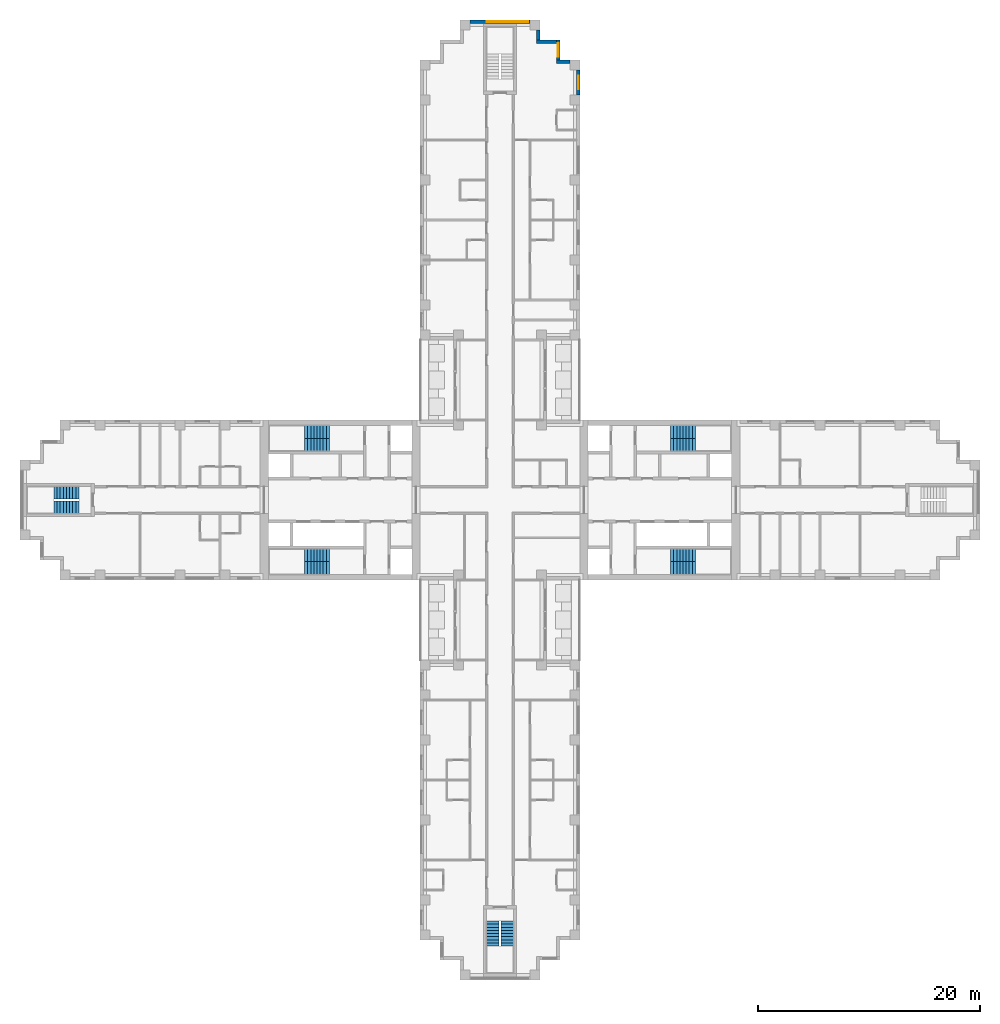
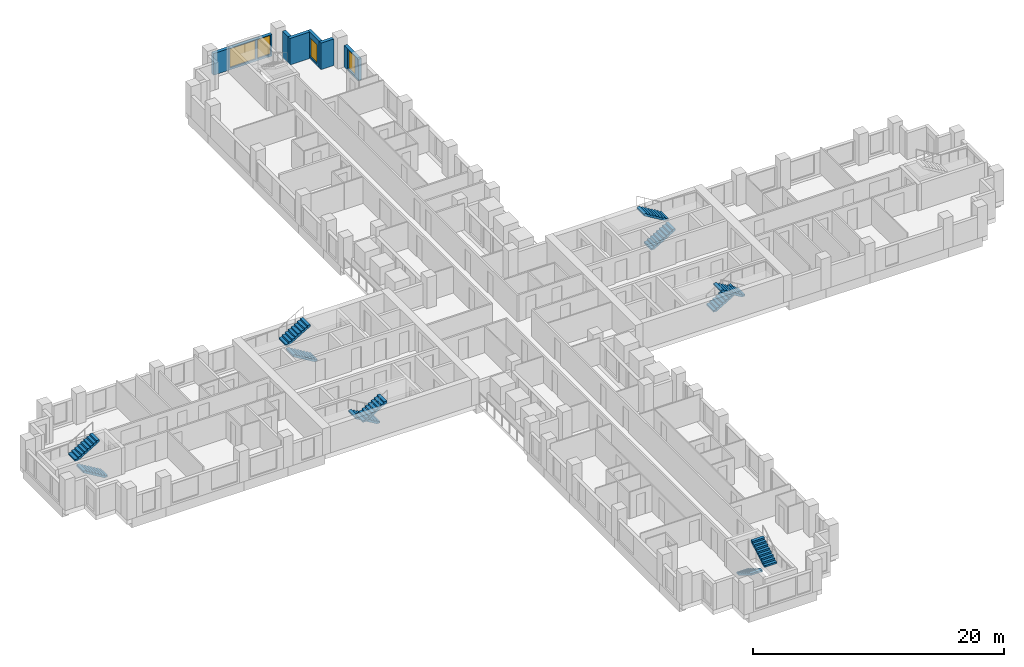
# One storey, part 12 of 15: 12 stair flights, 6 walls, 4 windows, 4 openings, 6 elements without a shape of their own.
"""IFC4 building model written with IfcOpenShell, lengths in metres."""

from ifc_helpers import new_model, si_unit, direction, frame, frame_2d, origin, place, context, subcontext, project, spatial, polyline, rectangle, outline, extrude, material, layer, layer_set, type_object, element, fill, aggregate, save


model = new_model("IFC4")

# Units and contexts
model_context = context("Model", 3, precision=1e-05, world=origin(), true_north=direction((0.0, 1.0)))
body_context = subcontext(model_context, "Body", "Model", "MODEL_VIEW")
ifc_project = project(units=[si_unit("LENGTHUNIT", "METRE"), si_unit("AREAUNIT", "SQUARE_METRE"), si_unit("VOLUMEUNIT", "CUBIC_METRE"), si_unit("PLANEANGLEUNIT", "RADIAN"), si_unit("MASSUNIT", "GRAM", prefix="KILO")], contexts=[model_context])

# Site, building, storey
site_placement = place(None, origin())
site = spatial("IfcSite", under=ifc_project, at=site_placement, CompositionType="ELEMENT")
building_placement = place(site_placement, origin())
building = spatial("IfcBuilding", under=site, at=building_placement, Name="Fustian Cross Tower", CompositionType="ELEMENT")
storey_placement = place(building_placement, frame((0.0, 0.0, 50.699951171875)))
storey = spatial("IfcBuildingStorey", under=building, at=storey_placement, Name="L15", CompositionType="ELEMENT", Elevation=50.699951171875)

# Wall, opening, window
ifc_material_1 = material(Name="Dark aluminium cladding on insulated backing wall", Category="aluminium")
ifc_layer = layer(ifc_material_1, 0.300048828125)
ifc_layer_set = layer_set([ifc_layer], Name="Dark aluminium cladding on insulated backing wall")
wall_type = type_object("IfcWallType", Name="XW1 EXTERNAL WALL 300", PredefinedType="SOLIDWALL", material=ifc_layer_set)
wall_1_placement = place(storey_placement, frame((7.050048828125, 36.449951171875, 0.0), z_axis=(0.0, 0.0, 1.0), x_axis=(0.0, 1.0, 0.0)))
wall_1 = element("IfcWall", 1, at=wall_1_placement, inside=storey, type_object=wall_type, Name="External wall", PredefinedType="SOLIDWALL", context=body_context, shape_type="SweptSolid", body=[
    extrude(rectangle(XDim=2.25, YDim=0.300048828125, at=frame_2d((1.125, 0.0))), origin(), (0.0, 0.0, 1.0), 2.10009765625),
])
opening_1_placement = place(wall_1_placement, frame((0.52490234375, 0.0, 0.199951171875)))
opening_1 = element("IfcOpeningElement", 2, at=opening_1_placement, cuts=wall_1, Name="Opening WN3", PredefinedType="OPENING", context=body_context, shape_type="SweptSolid", body=[
    extrude(rectangle(XDim=1.199951171875, YDim=1.85009765625, at=frame_2d((0.60009765625, 0.925048828125))), frame((0.0, 0.159912109375, 0.0), z_axis=(0.0, -1.0, 0.0), x_axis=(1.0, 0.0, 0.0)), (0.0, 0.0, 1.0), 0.320068359375),
])
ifc_material_2 = material(Name="Dark anodised aluminium and double glazing", Category="aluminium")
window_type_1 = type_object("IfcWindowType", Name="WN3 WINDOW 1200X1850", PartitioningType="SINGLE_PANEL", PredefinedType="WINDOW", material=ifc_material_2)
window_1_placement = place(opening_1_placement, origin())
window_1 = element("IfcWindow", 3, at=window_1_placement, inside=storey, type_object=window_type_1, Name="Window", OverallHeight=1.85009765625, OverallWidth=1.199951171875, PartitioningType="SINGLE_PANEL", PredefinedType="WINDOW", context=body_context, shape_type="SweptSolid", body=[
    extrude(rectangle(XDim=1.199951171875, YDim=1.85009765625, at=frame_2d((0.60009765625, 0.925048828125))), frame((0.0, 0.030029296875, 0.0), z_axis=(0.0, -1.0, 0.0), x_axis=(1.0, 0.0, 0.0)), (0.0, 0.0, 1.0), 0.06005859375),
])
fill(opening_1, window_1)

# Wall
wall_2_placement = place(storey_placement, frame((6.300048828125, 39.449951171875, 0.0), z_axis=(0.0, 0.0, 1.0), x_axis=(-1.0, 0.0, 0.0)))
element("IfcWall", 4, at=wall_2_placement, inside=storey, type_object=wall_type, Name="External wall", PredefinedType="SOLIDWALL", context=body_context, shape_type="SweptSolid", body=[
    extrude(rectangle(XDim=1.199951171875, YDim=0.300048828125, at=frame_2d((0.60009765625, 0.0))), origin(), (0.0, 0.0, 1.0), 2.574951171875),
])

# Wall, opening, window
wall_3_placement = place(storey_placement, frame((5.25, 39.60009765625, 0.0), z_axis=(0.0, 0.0, 1.0), x_axis=(0.0, 1.0, 0.0)))
wall_3 = element("IfcWall", 5, at=wall_3_placement, inside=storey, type_object=wall_type, Name="External wall", PredefinedType="SOLIDWALL", context=body_context, shape_type="SweptSolid", body=[
    extrude(rectangle(XDim=1.7998046875, YDim=0.300048828125, at=frame_2d((0.89990234375, 0.0))), origin(), (0.0, 0.0, 1.0), 2.574951171875),
])
opening_2_placement = place(wall_3_placement, frame((0.300048828125, 0.0, 0.199951171875)))
opening_2 = element("IfcOpeningElement", 6, at=opening_2_placement, cuts=wall_3, Name="Opening WN3", PredefinedType="OPENING", context=body_context, shape_type="SweptSolid", body=[
    extrude(rectangle(XDim=1.199951171875, YDim=1.85009765625, at=frame_2d((0.60009765625, 0.925048828125))), frame((0.0, 0.159912109375, 0.0), z_axis=(0.0, -1.0, 0.0), x_axis=(1.0, 0.0, 0.0)), (0.0, 0.0, 1.0), 0.320068359375),
])
window_2_placement = place(opening_2_placement, origin())
window_2 = element("IfcWindow", 7, at=window_2_placement, inside=storey, type_object=window_type_1, Name="Window", OverallHeight=1.85009765625, OverallWidth=1.199951171875, PartitioningType="SINGLE_PANEL", PredefinedType="WINDOW", context=body_context, shape_type="SweptSolid", body=[
    extrude(rectangle(XDim=1.199951171875, YDim=1.85009765625, at=frame_2d((0.60009765625, 0.925048828125))), frame((0.0, 0.030029296875, 0.0), z_axis=(0.0, -1.0, 0.0), x_axis=(1.0, 0.0, 0.0)), (0.0, 0.0, 1.0), 0.06005859375),
])
fill(opening_2, window_2)

# Walls
wall_4_placement = place(storey_placement, frame((5.10009765625, 41.25, 0.0), z_axis=(0.0, 0.0, 1.0), x_axis=(-1.0, 0.0, 0.0)))
element("IfcWall", 8, at=wall_4_placement, inside=storey, type_object=wall_type, Name="External wall", PredefinedType="SOLIDWALL", context=body_context, shape_type="SweptSolid", body=[
    extrude(rectangle(XDim=1.800048828125, YDim=0.300048828125, at=frame_2d((0.89990234375, 0.0))), origin(), (0.0, 0.0, 1.0), 2.574951171875),
])
wall_5_placement = place(storey_placement, frame((3.449951171875, 41.39990234375, 0.0), z_axis=(0.0, 0.0, 1.0), x_axis=(0.0, 1.0, 0.0)))
element("IfcWall", 9, at=wall_5_placement, inside=storey, type_object=wall_type, Name="External wall", PredefinedType="SOLIDWALL", context=body_context, shape_type="SweptSolid", body=[
    extrude(rectangle(XDim=0.900146484375, YDim=0.300048828125, at=frame_2d((0.4501953125, 0.0))), origin(), (0.0, 0.0, 1.0), 2.574951171875),
])

# Wall, openings, windows
wall_6_placement = place(storey_placement, frame((2.699951171875, 43.050048828125, 0.0), z_axis=(0.0, 0.0, 1.0), x_axis=(-1.0, 0.0, 0.0)))
wall_6 = element("IfcWall", 10, at=wall_6_placement, inside=storey, type_object=wall_type, Name="External wall", PredefinedType="SOLIDWALL", context=body_context, shape_type="SweptSolid", body=[
    extrude(rectangle(XDim=5.39990234375, YDim=0.300048828125, at=frame_2d((2.699951171875, 0.0))), origin(), (0.0, 0.0, 1.0), 2.10009765625),
])
opening_3_placement = place(wall_6_placement, frame((1.5, 0.0, 0.199951171875)))
opening_3 = element("IfcOpeningElement", 11, at=opening_3_placement, cuts=wall_6, Name="Opening WN1", PredefinedType="OPENING", context=body_context, shape_type="SweptSolid", body=[
    extrude(rectangle(XDim=2.39990234375, YDim=1.85009765625, at=frame_2d((1.199951171875, 0.925048828125))), frame((0.0, 0.159912109375, 0.0), z_axis=(0.0, -1.0, 0.0), x_axis=(1.0, 0.0, 0.0)), (0.0, 0.0, 1.0), 0.320068359375),
])
opening_4_placement = place(wall_6_placement, frame((0.14990234375, 0.0, 0.199951171875)))
opening_4 = element("IfcOpeningElement", 12, at=opening_4_placement, cuts=wall_6, Name="Opening WN3", PredefinedType="OPENING", context=body_context, shape_type="SweptSolid", body=[
    extrude(rectangle(XDim=1.199951171875, YDim=1.85009765625, at=frame_2d((0.60009765625, 0.925048828125))), frame((0.0, 0.159912109375, 0.0), z_axis=(0.0, -1.0, 0.0), x_axis=(1.0, 0.0, 0.0)), (0.0, 0.0, 1.0), 0.320068359375),
])
ifc_material_3 = material(Name="Dark anodised aluminium and double glazing", Category="aluminium")
window_type_2 = type_object("IfcWindowType", Name="WN1 WINDOW 2400X1850", PartitioningType="SINGLE_PANEL", PredefinedType="WINDOW", material=ifc_material_3)
window_3_placement = place(opening_3_placement, origin())
window_3 = element("IfcWindow", 13, at=window_3_placement, inside=storey, type_object=window_type_2, Name="Window", OverallHeight=1.85009765625, OverallWidth=2.39990234375, PartitioningType="SINGLE_PANEL", PredefinedType="WINDOW", context=body_context, shape_type="SweptSolid", body=[
    extrude(rectangle(XDim=2.39990234375, YDim=1.85009765625, at=frame_2d((1.199951171875, 0.925048828125))), frame((0.0, 0.030029296875, 0.0), z_axis=(0.0, -1.0, 0.0), x_axis=(1.0, 0.0, 0.0)), (0.0, 0.0, 1.0), 0.06005859375),
])
fill(opening_3, window_3)
window_4_placement = place(opening_4_placement, origin())
window_4 = element("IfcWindow", 14, at=window_4_placement, inside=storey, type_object=window_type_1, Name="Window", OverallHeight=1.85009765625, OverallWidth=1.199951171875, PartitioningType="SINGLE_PANEL", PredefinedType="WINDOW", context=body_context, shape_type="SweptSolid", body=[
    extrude(rectangle(XDim=1.199951171875, YDim=1.85009765625, at=frame_2d((0.60009765625, 0.925048828125))), frame((0.0, 0.030029296875, 0.0), z_axis=(0.0, -1.0, 0.0), x_axis=(1.0, 0.0, 0.0)), (0.0, 0.0, 1.0), 0.06005859375),
])
fill(opening_4, window_4)

# Stair, stair flights
ifc_material_4 = material(Name="Concrete C50/60", Category="concrete")
stair_type_1 = type_object("IfcStairType", Name="STAIR 1100 HALF TURN", PredefinedType="HALF_TURN_STAIR", material=ifc_material_4)
stair_1_placement = place(storey_placement, origin())
stair_1 = element("IfcStair", 15, at=stair_1_placement, inside=storey, type_object=stair_type_1, Name="Stair ST6", PredefinedType="HALF_TURN_STAIR")
ifc_material_5 = material(Name="Concrete C50/60", Category="concrete")
stair_flight_type_1 = type_object("IfcStairFlightType", Name="STAIR FLIGHT 1100", PredefinedType="STRAIGHT", material=ifc_material_5)
stair_flight_1_placement = place(storey_placement, frame((-0.64990234375, -37.89990234375, 0.0), z_axis=(0.0, 0.0, 1.0), x_axis=(0.0, -1.0, 0.0)))
stair_flight_1 = element("IfcStairFlight", 16, at=stair_flight_1_placement, type_object=stair_flight_type_1, Name="ST6 flight 1", NumberOfRisers=9, NumberOfTreads=8, PredefinedType="STRAIGHT", RiserHeight=0.166666667, TreadLength=0.28, context=body_context, shape_type="SweptSolid", body=[
    extrude(outline(polyline([(0.0, 0.0), (0.0, 0.166748046875), (0.280029296875, 0.166748046875), (0.280029296875, 0.333251953125), (0.56005859375, 0.333251953125), (0.56005859375, 0.5), (0.840087890625, 0.5), (0.840087890625, 0.666748046875), (1.1201171875, 0.666748046875), (1.1201171875, 0.833251953125), (1.39990234375, 0.833251953125), (1.39990234375, 1.0), (1.679931640625, 1.0), (1.679931640625, 1.166748046875), (1.9599609375, 1.166748046875), (1.9599609375, 1.333251953125), (2.239990234375, 1.333251953125), (2.239990234375, 1.5), (2.239990234375, 1.158935546875), (0.29296875, 0.0), (0.0, 0.0)])), frame((0.0, 0.550048828125, 0.0), z_axis=(0.0, -1.0, 0.0), x_axis=(1.0, 0.0, 0.0)), (0.0, 0.0, 1.0), 1.10009765625),
])
stair_flight_2_placement = place(storey_placement, frame((0.64990234375, -40.139892578125, 1.5), z_axis=(0.0, 0.0, 1.0), x_axis=(0.0, 1.0, 0.0)))
stair_flight_2 = element("IfcStairFlight", 17, at=stair_flight_2_placement, type_object=stair_flight_type_1, Name="ST6 flight 2", NumberOfRisers=9, NumberOfTreads=8, PredefinedType="STRAIGHT", RiserHeight=0.166666667, TreadLength=0.28, context=body_context, shape_type="SweptSolid", body=[
    extrude(outline(polyline([(0.0, 0.0), (0.0, 0.166748046875), (0.280029296875, 0.166748046875), (0.280029296875, 0.333251953125), (0.56005859375, 0.333251953125), (0.56005859375, 0.5), (0.840087890625, 0.5), (0.840087890625, 0.666748046875), (1.1201171875, 0.666748046875), (1.1201171875, 0.833251953125), (1.39990234375, 0.833251953125), (1.39990234375, 1.0), (1.679931640625, 1.0), (1.679931640625, 1.166748046875), (1.9599609375, 1.166748046875), (1.9599609375, 1.333251953125), (2.239990234375, 1.333251953125), (2.239990234375, 1.5), (2.239990234375, 1.158935546875), (0.29296875, 0.0), (0.0, 0.0)])), frame((0.0, 0.550048828125, 0.0), z_axis=(0.0, -1.0, 0.0), x_axis=(1.0, 0.0, 0.0)), (0.0, 0.0, 1.0), 1.10009765625),
])
aggregate(stair_1, [stair_flight_1, stair_flight_2])

stair_2_placement = place(storey_placement, origin())
stair_2 = element("IfcStair", 18, at=stair_2_placement, inside=storey, type_object=stair_type_1, Name="Stair ST9", PredefinedType="HALF_TURN_STAIR")
stair_flight_3_placement = place(storey_placement, frame((-37.89990234375, -0.64990234375, 0.0), z_axis=(0.0, 0.0, 1.0), x_axis=(-1.0, 0.0, 0.0)))
stair_flight_3 = element("IfcStairFlight", 19, at=stair_flight_3_placement, type_object=stair_flight_type_1, Name="ST9 flight 1", NumberOfRisers=9, NumberOfTreads=8, PredefinedType="STRAIGHT", RiserHeight=0.166666667, TreadLength=0.28, context=body_context, shape_type="SweptSolid", body=[
    extrude(outline(polyline([(0.0, 0.0), (0.0, 0.166748046875), (0.280029296875, 0.166748046875), (0.280029296875, 0.333251953125), (0.56005859375, 0.333251953125), (0.56005859375, 0.5), (0.840087890625, 0.5), (0.840087890625, 0.666748046875), (1.1201171875, 0.666748046875), (1.1201171875, 0.833251953125), (1.39990234375, 0.833251953125), (1.39990234375, 1.0), (1.679931640625, 1.0), (1.679931640625, 1.166748046875), (1.9599609375, 1.166748046875), (1.9599609375, 1.333251953125), (2.239990234375, 1.333251953125), (2.239990234375, 1.5), (2.239990234375, 1.158935546875), (0.29296875, 0.0), (0.0, 0.0)])), frame((0.0, 0.550048828125, 0.0), z_axis=(0.0, -1.0, 0.0), x_axis=(1.0, 0.0, 0.0)), (0.0, 0.0, 1.0), 1.10009765625),
])
stair_flight_4_placement = place(storey_placement, frame((-40.139892578125, 0.64990234375, 1.5), z_axis=(0.0, 0.0, 1.0), x_axis=(1.0, 0.0, 0.0)))
stair_flight_4 = element("IfcStairFlight", 20, at=stair_flight_4_placement, type_object=stair_flight_type_1, Name="ST9 flight 2", NumberOfRisers=9, NumberOfTreads=8, PredefinedType="STRAIGHT", RiserHeight=0.166666667, TreadLength=0.28, context=body_context, shape_type="SweptSolid", body=[
    extrude(outline(polyline([(0.0, 0.0), (0.0, 0.166748046875), (0.280029296875, 0.166748046875), (0.280029296875, 0.333251953125), (0.56005859375, 0.333251953125), (0.56005859375, 0.5), (0.840087890625, 0.5), (0.840087890625, 0.666748046875), (1.1201171875, 0.666748046875), (1.1201171875, 0.833251953125), (1.39990234375, 0.833251953125), (1.39990234375, 1.0), (1.679931640625, 1.0), (1.679931640625, 1.166748046875), (1.9599609375, 1.166748046875), (1.9599609375, 1.333251953125), (2.239990234375, 1.333251953125), (2.239990234375, 1.5), (2.239990234375, 1.158935546875), (0.29296875, 0.0), (0.0, 0.0)])), frame((0.0, 0.550048828125, 0.0), z_axis=(0.0, -1.0, 0.0), x_axis=(1.0, 0.0, 0.0)), (0.0, 0.0, 1.0), 1.10009765625),
])
aggregate(stair_2, [stair_flight_3, stair_flight_4])

ifc_material_6 = material(Name="Concrete C50/60", Category="concrete")
stair_type_2 = type_object("IfcStairType", Name="STAIR 1150 HALF TURN", PredefinedType="HALF_TURN_STAIR", material=ifc_material_6)
stair_3_placement = place(storey_placement, origin())
stair_3 = element("IfcStair", 21, at=stair_3_placement, inside=storey, type_object=stair_type_2, Name="Stair ST1", PredefinedType="HALF_TURN_STAIR")
ifc_material_7 = material(Name="Concrete C50/60", Category="concrete")
stair_flight_type_2 = type_object("IfcStairFlightType", Name="STAIR FLIGHT 1150", PredefinedType="STRAIGHT", material=ifc_material_7)
stair_flight_5_placement = place(storey_placement, frame((15.35009765625, 4.97509765625, 0.0), z_axis=(0.0, 0.0, 1.0), x_axis=(1.0, 0.0, 0.0)))
stair_flight_5 = element("IfcStairFlight", 22, at=stair_flight_5_placement, type_object=stair_flight_type_2, Name="ST1 flight 1", NumberOfRisers=9, NumberOfTreads=8, PredefinedType="STRAIGHT", RiserHeight=0.166666667, TreadLength=0.28, context=body_context, shape_type="SweptSolid", body=[
    extrude(outline(polyline([(0.0, 0.0), (0.0, 0.166748046875), (0.280029296875, 0.166748046875), (0.280029296875, 0.333251953125), (0.56005859375, 0.333251953125), (0.56005859375, 0.5), (0.840087890625, 0.5), (0.840087890625, 0.666748046875), (1.1201171875, 0.666748046875), (1.1201171875, 0.833251953125), (1.39990234375, 0.833251953125), (1.39990234375, 1.0), (1.679931640625, 1.0), (1.679931640625, 1.166748046875), (1.9599609375, 1.166748046875), (1.9599609375, 1.333251953125), (2.239990234375, 1.333251953125), (2.239990234375, 1.5), (2.239990234375, 1.158935546875), (0.29296875, 0.0), (0.0, 0.0)])), frame((0.0, 0.574951171875, 0.0), z_axis=(0.0, -1.0, 0.0), x_axis=(1.0, 0.0, 0.0)), (0.0, 0.0, 1.0), 1.14990234375),
])
stair_flight_6_placement = place(storey_placement, frame((17.590087890625, 6.125, 1.5), z_axis=(0.0, 0.0, 1.0), x_axis=(-1.0, 0.0, 0.0)))
stair_flight_6 = element("IfcStairFlight", 23, at=stair_flight_6_placement, type_object=stair_flight_type_2, Name="ST1 flight 2", NumberOfRisers=9, NumberOfTreads=8, PredefinedType="STRAIGHT", RiserHeight=0.166666667, TreadLength=0.28, context=body_context, shape_type="SweptSolid", body=[
    extrude(outline(polyline([(0.0, 0.0), (0.0, 0.166748046875), (0.280029296875, 0.166748046875), (0.280029296875, 0.333251953125), (0.56005859375, 0.333251953125), (0.56005859375, 0.5), (0.840087890625, 0.5), (0.840087890625, 0.666748046875), (1.1201171875, 0.666748046875), (1.1201171875, 0.833251953125), (1.39990234375, 0.833251953125), (1.39990234375, 1.0), (1.679931640625, 1.0), (1.679931640625, 1.166748046875), (1.9599609375, 1.166748046875), (1.9599609375, 1.333251953125), (2.239990234375, 1.333251953125), (2.239990234375, 1.5), (2.239990234375, 1.158935546875), (0.29296875, 0.0), (0.0, 0.0)])), frame((0.0, 0.574951171875, 0.0), z_axis=(0.0, -1.0, 0.0), x_axis=(1.0, 0.0, 0.0)), (0.0, 0.0, 1.0), 1.14990234375),
])
aggregate(stair_3, [stair_flight_5, stair_flight_6])

stair_4_placement = place(storey_placement, origin())
stair_4 = element("IfcStair", 24, at=stair_4_placement, inside=storey, type_object=stair_type_2, Name="Stair ST2", PredefinedType="HALF_TURN_STAIR")
stair_flight_7_placement = place(storey_placement, frame((15.35009765625, -4.97509765625, 0.0), z_axis=(0.0, 0.0, 1.0), x_axis=(1.0, 0.0, 0.0)))
stair_flight_7 = element("IfcStairFlight", 25, at=stair_flight_7_placement, type_object=stair_flight_type_2, Name="ST2 flight 1", NumberOfRisers=9, NumberOfTreads=8, PredefinedType="STRAIGHT", RiserHeight=0.166666667, TreadLength=0.28, context=body_context, shape_type="SweptSolid", body=[
    extrude(outline(polyline([(0.0, 0.0), (0.0, 0.166748046875), (0.280029296875, 0.166748046875), (0.280029296875, 0.333251953125), (0.56005859375, 0.333251953125), (0.56005859375, 0.5), (0.840087890625, 0.5), (0.840087890625, 0.666748046875), (1.1201171875, 0.666748046875), (1.1201171875, 0.833251953125), (1.39990234375, 0.833251953125), (1.39990234375, 1.0), (1.679931640625, 1.0), (1.679931640625, 1.166748046875), (1.9599609375, 1.166748046875), (1.9599609375, 1.333251953125), (2.239990234375, 1.333251953125), (2.239990234375, 1.5), (2.239990234375, 1.158935546875), (0.29296875, 0.0), (0.0, 0.0)])), frame((0.0, 0.574951171875, 0.0), z_axis=(0.0, -1.0, 0.0), x_axis=(1.0, 0.0, 0.0)), (0.0, 0.0, 1.0), 1.14990234375),
])
stair_flight_8_placement = place(storey_placement, frame((17.590087890625, -6.125, 1.5), z_axis=(0.0, 0.0, 1.0), x_axis=(-1.0, 0.0, 0.0)))
stair_flight_8 = element("IfcStairFlight", 26, at=stair_flight_8_placement, type_object=stair_flight_type_2, Name="ST2 flight 2", NumberOfRisers=9, NumberOfTreads=8, PredefinedType="STRAIGHT", RiserHeight=0.166666667, TreadLength=0.28, context=body_context, shape_type="SweptSolid", body=[
    extrude(outline(polyline([(0.0, 0.0), (0.0, 0.166748046875), (0.280029296875, 0.166748046875), (0.280029296875, 0.333251953125), (0.56005859375, 0.333251953125), (0.56005859375, 0.5), (0.840087890625, 0.5), (0.840087890625, 0.666748046875), (1.1201171875, 0.666748046875), (1.1201171875, 0.833251953125), (1.39990234375, 0.833251953125), (1.39990234375, 1.0), (1.679931640625, 1.0), (1.679931640625, 1.166748046875), (1.9599609375, 1.166748046875), (1.9599609375, 1.333251953125), (2.239990234375, 1.333251953125), (2.239990234375, 1.5), (2.239990234375, 1.158935546875), (0.29296875, 0.0), (0.0, 0.0)])), frame((0.0, 0.574951171875, 0.0), z_axis=(0.0, -1.0, 0.0), x_axis=(1.0, 0.0, 0.0)), (0.0, 0.0, 1.0), 1.14990234375),
])
aggregate(stair_4, [stair_flight_7, stair_flight_8])

stair_5_placement = place(storey_placement, origin())
stair_5 = element("IfcStair", 27, at=stair_5_placement, inside=storey, type_object=stair_type_2, Name="Stair ST3", PredefinedType="HALF_TURN_STAIR")
stair_flight_9_placement = place(storey_placement, frame((-15.35009765625, 4.97509765625, 0.0), z_axis=(0.0, 0.0, 1.0), x_axis=(-1.0, 0.0, 0.0)))
stair_flight_9 = element("IfcStairFlight", 28, at=stair_flight_9_placement, type_object=stair_flight_type_2, Name="ST3 flight 1", NumberOfRisers=9, NumberOfTreads=8, PredefinedType="STRAIGHT", RiserHeight=0.166666667, TreadLength=0.28, context=body_context, shape_type="SweptSolid", body=[
    extrude(outline(polyline([(0.0, 0.0), (0.0, 0.166748046875), (0.280029296875, 0.166748046875), (0.280029296875, 0.333251953125), (0.56005859375, 0.333251953125), (0.56005859375, 0.5), (0.840087890625, 0.5), (0.840087890625, 0.666748046875), (1.1201171875, 0.666748046875), (1.1201171875, 0.833251953125), (1.39990234375, 0.833251953125), (1.39990234375, 1.0), (1.679931640625, 1.0), (1.679931640625, 1.166748046875), (1.9599609375, 1.166748046875), (1.9599609375, 1.333251953125), (2.239990234375, 1.333251953125), (2.239990234375, 1.5), (2.239990234375, 1.158935546875), (0.29296875, 0.0), (0.0, 0.0)])), frame((0.0, 0.574951171875, 0.0), z_axis=(0.0, -1.0, 0.0), x_axis=(1.0, 0.0, 0.0)), (0.0, 0.0, 1.0), 1.14990234375),
])
stair_flight_10_placement = place(storey_placement, frame((-17.590087890625, 6.125, 1.5), z_axis=(0.0, 0.0, 1.0), x_axis=(1.0, 0.0, 0.0)))
stair_flight_10 = element("IfcStairFlight", 29, at=stair_flight_10_placement, type_object=stair_flight_type_2, Name="ST3 flight 2", NumberOfRisers=9, NumberOfTreads=8, PredefinedType="STRAIGHT", RiserHeight=0.166666667, TreadLength=0.28, context=body_context, shape_type="SweptSolid", body=[
    extrude(outline(polyline([(0.0, 0.0), (0.0, 0.166748046875), (0.280029296875, 0.166748046875), (0.280029296875, 0.333251953125), (0.56005859375, 0.333251953125), (0.56005859375, 0.5), (0.840087890625, 0.5), (0.840087890625, 0.666748046875), (1.1201171875, 0.666748046875), (1.1201171875, 0.833251953125), (1.39990234375, 0.833251953125), (1.39990234375, 1.0), (1.679931640625, 1.0), (1.679931640625, 1.166748046875), (1.9599609375, 1.166748046875), (1.9599609375, 1.333251953125), (2.239990234375, 1.333251953125), (2.239990234375, 1.5), (2.239990234375, 1.158935546875), (0.29296875, 0.0), (0.0, 0.0)])), frame((0.0, 0.574951171875, 0.0), z_axis=(0.0, -1.0, 0.0), x_axis=(1.0, 0.0, 0.0)), (0.0, 0.0, 1.0), 1.14990234375),
])
aggregate(stair_5, [stair_flight_9, stair_flight_10])

stair_6_placement = place(storey_placement, origin())
stair_6 = element("IfcStair", 30, at=stair_6_placement, inside=storey, type_object=stair_type_2, Name="Stair ST4", PredefinedType="HALF_TURN_STAIR")
stair_flight_11_placement = place(storey_placement, frame((-15.35009765625, -4.97509765625, 0.0), z_axis=(0.0, 0.0, 1.0), x_axis=(-1.0, 0.0, 0.0)))
stair_flight_11 = element("IfcStairFlight", 31, at=stair_flight_11_placement, type_object=stair_flight_type_2, Name="ST4 flight 1", NumberOfRisers=9, NumberOfTreads=8, PredefinedType="STRAIGHT", RiserHeight=0.166666667, TreadLength=0.28, context=body_context, shape_type="SweptSolid", body=[
    extrude(outline(polyline([(0.0, 0.0), (0.0, 0.166748046875), (0.280029296875, 0.166748046875), (0.280029296875, 0.333251953125), (0.56005859375, 0.333251953125), (0.56005859375, 0.5), (0.840087890625, 0.5), (0.840087890625, 0.666748046875), (1.1201171875, 0.666748046875), (1.1201171875, 0.833251953125), (1.39990234375, 0.833251953125), (1.39990234375, 1.0), (1.679931640625, 1.0), (1.679931640625, 1.166748046875), (1.9599609375, 1.166748046875), (1.9599609375, 1.333251953125), (2.239990234375, 1.333251953125), (2.239990234375, 1.5), (2.239990234375, 1.158935546875), (0.29296875, 0.0), (0.0, 0.0)])), frame((0.0, 0.574951171875, 0.0), z_axis=(0.0, -1.0, 0.0), x_axis=(1.0, 0.0, 0.0)), (0.0, 0.0, 1.0), 1.14990234375),
])
stair_flight_12_placement = place(storey_placement, frame((-17.590087890625, -6.125, 1.5), z_axis=(0.0, 0.0, 1.0), x_axis=(1.0, 0.0, 0.0)))
stair_flight_12 = element("IfcStairFlight", 32, at=stair_flight_12_placement, type_object=stair_flight_type_2, Name="ST4 flight 2", NumberOfRisers=9, NumberOfTreads=8, PredefinedType="STRAIGHT", RiserHeight=0.166666667, TreadLength=0.28, context=body_context, shape_type="SweptSolid", body=[
    extrude(outline(polyline([(0.0, 0.0), (0.0, 0.166748046875), (0.280029296875, 0.166748046875), (0.280029296875, 0.333251953125), (0.56005859375, 0.333251953125), (0.56005859375, 0.5), (0.840087890625, 0.5), (0.840087890625, 0.666748046875), (1.1201171875, 0.666748046875), (1.1201171875, 0.833251953125), (1.39990234375, 0.833251953125), (1.39990234375, 1.0), (1.679931640625, 1.0), (1.679931640625, 1.166748046875), (1.9599609375, 1.166748046875), (1.9599609375, 1.333251953125), (2.239990234375, 1.333251953125), (2.239990234375, 1.5), (2.239990234375, 1.158935546875), (0.29296875, 0.0), (0.0, 0.0)])), frame((0.0, 0.574951171875, 0.0), z_axis=(0.0, -1.0, 0.0), x_axis=(1.0, 0.0, 0.0)), (0.0, 0.0, 1.0), 1.14990234375),
])
aggregate(stair_6, [stair_flight_11, stair_flight_12])

save(model, "model.ifc")
